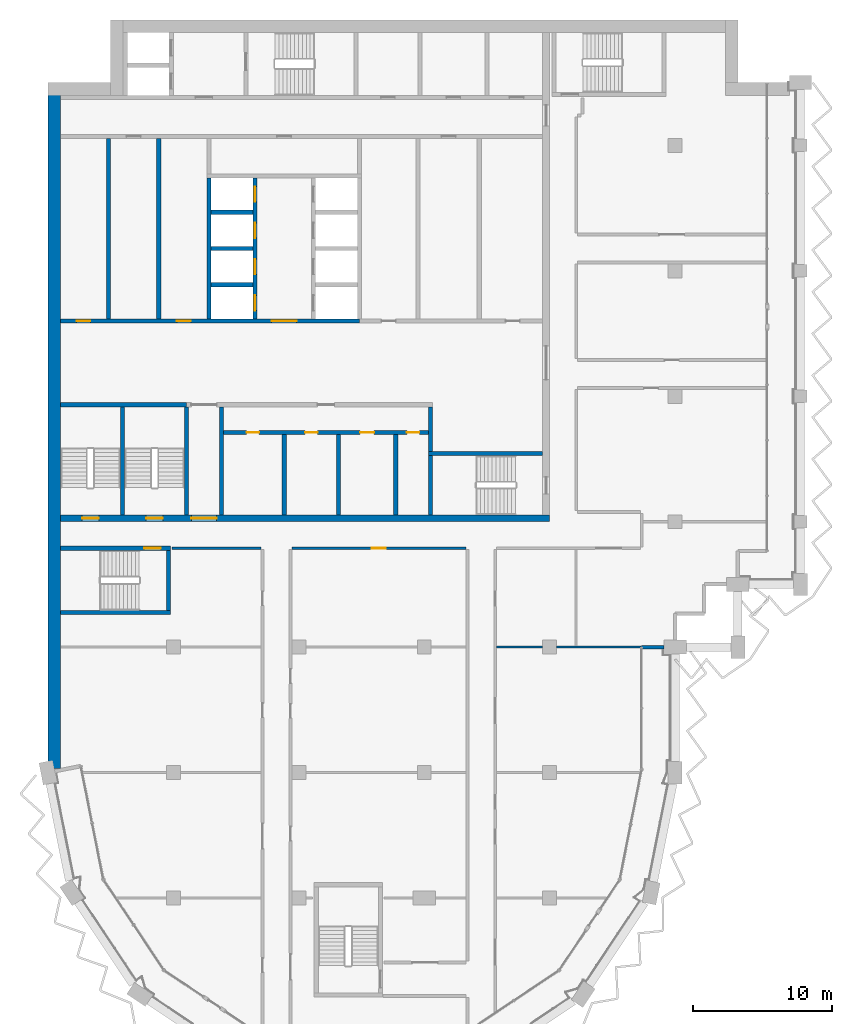
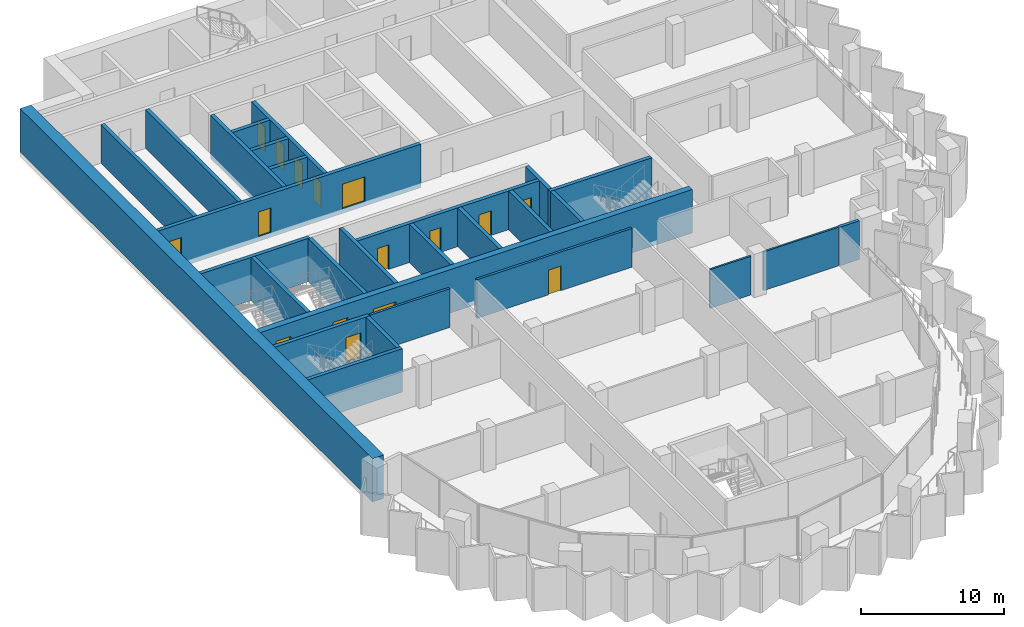
# One storey, part 8 of 16: 29 walls, 16 doors, 16 openings.
"""IFC4 building model written with IfcOpenShell, lengths in metres."""

from ifc_helpers import new_model, si_unit, direction, frame, frame_2d, origin, place, context, subcontext, project, spatial, rectangle, extrude, material, layer, layer_set, type_object, element, fill, save


model = new_model("IFC4")

# Units and contexts
model_context = context("Model", 3, precision=1e-05, world=origin(), true_north=direction((0.0, 1.0)))
body_context = subcontext(model_context, "Body", "Model", "MODEL_VIEW")
ifc_project = project(units=[si_unit("LENGTHUNIT", "METRE"), si_unit("AREAUNIT", "SQUARE_METRE"), si_unit("VOLUMEUNIT", "CUBIC_METRE"), si_unit("PLANEANGLEUNIT", "RADIAN"), si_unit("MASSUNIT", "GRAM", prefix="KILO")], contexts=[model_context])

# Site, building, storey
site_placement = place(None, origin())
site = spatial("IfcSite", under=ifc_project, at=site_placement, CompositionType="ELEMENT")
building_placement = place(site_placement, origin())
building = spatial("IfcBuilding", under=site, at=building_placement, Name="Hunhe Ridgeline Campus", CompositionType="ELEMENT")
storey_placement = place(building_placement, frame((0.0, 0.0, 250.300048828125)))
storey = spatial("IfcBuildingStorey", under=building, at=storey_placement, Name="L64", CompositionType="ELEMENT", Elevation=250.300048828125)

# Wall, openings, doors
ifc_material_1 = material(Name="Masonry concrete blockwork", Category="masonry")
ifc_layer_1 = layer(ifc_material_1, 0.300048828125)
ifc_layer_set_1 = layer_set([ifc_layer_1], Name="Core room partition 300 concrete block")
wall_type_1 = type_object("IfcWallType", Name="Core room partition 300 concrete block", PredefinedType="PARTITIONING", material=ifc_layer_set_1)
wall_1_placement = place(storey_placement, frame((12.60009765625, 69.39990234375, 0.0), z_axis=(0.0, 0.0, 1.0), x_axis=(1.0, 0.0, 0.0)))
wall_1 = element("IfcWall", 1, at=wall_1_placement, inside=storey, type_object=wall_type_1, Name="L64 core partition 7", PredefinedType="PARTITIONING", context=body_context, shape_type="SweptSolid", body=[
    extrude(rectangle(XDim=14.699951171875, YDim=0.300048828125, at=frame_2d((7.35009765625, 0.0))), origin(), (0.0, 0.0, 1.0), 3.300048828125),
])
opening_1_placement = place(wall_1_placement, frame((1.64990234375, 0.0, 0.0)))
opening_1 = element("IfcOpeningElement", 2, at=opening_1_placement, cuts=wall_1, Name="Opening CD8", PredefinedType="OPENING", context=body_context, shape_type="SweptSolid", body=[
    extrude(rectangle(XDim=0.89990234375, YDim=2.10009765625, at=frame_2d((0.449951171875, 1.050048828125))), frame((0.0, 0.14990234375, 0.0), z_axis=(0.0, -1.0, 0.0), x_axis=(1.0, 0.0, 0.0)), (0.0, 0.0, 1.0), 0.300048828125),
])
opening_2_placement = place(wall_1_placement, frame((5.85009765625, 0.0, 0.0)))
opening_2 = element("IfcOpeningElement", 3, at=opening_2_placement, cuts=wall_1, Name="Opening CD9", PredefinedType="OPENING", context=body_context, shape_type="SweptSolid", body=[
    extrude(rectangle(XDim=0.89990234375, YDim=2.10009765625, at=frame_2d((0.449951171875, 1.050048828125))), frame((0.0, 0.14990234375, 0.0), z_axis=(0.0, -1.0, 0.0), x_axis=(1.0, 0.0, 0.0)), (0.0, 0.0, 1.0), 0.300048828125),
])
opening_3_placement = place(wall_1_placement, frame((9.800048828125, 0.0, 0.0)))
opening_3 = element("IfcOpeningElement", 4, at=opening_3_placement, cuts=wall_1, Name="Opening CD10", PredefinedType="OPENING", context=body_context, shape_type="SweptSolid", body=[
    extrude(rectangle(XDim=1.0, YDim=2.10009765625, at=frame_2d((0.5, 1.050048828125))), frame((0.0, 0.14990234375, 0.0), z_axis=(0.0, -1.0, 0.0), x_axis=(1.0, 0.0, 0.0)), (0.0, 0.0, 1.0), 0.300048828125),
])
opening_4_placement = place(wall_1_placement, frame((13.14990234375, 0.0, 0.0)))
opening_4 = element("IfcOpeningElement", 5, at=opening_4_placement, cuts=wall_1, Name="Opening CD11", PredefinedType="OPENING", context=body_context, shape_type="SweptSolid", body=[
    extrude(rectangle(XDim=0.89990234375, YDim=2.10009765625, at=frame_2d((0.449951171875, 1.050048828125))), frame((0.0, 0.14990234375, 0.0), z_axis=(0.0, -1.0, 0.0), x_axis=(1.0, 0.0, 0.0)), (0.0, 0.0, 1.0), 0.300048828125),
])
ifc_material_2 = material(Name="Solid core timber door leaf", Category="wood")
door_type_1 = type_object("IfcDoorType", Name="Timber door 1000x2100", OperationType="SINGLE_SWING_LEFT", PredefinedType="DOOR", material=ifc_material_2)
door_1_placement = place(opening_3_placement, frame((1.0, 0.0, 0.0), z_axis=(0.0, 0.0, 1.0), x_axis=(-1.0, 0.0, 0.0)))
door_1 = element("IfcDoor", 6, at=door_1_placement, inside=storey, type_object=door_type_1, Name="L64 door WC3", OperationType="SINGLE_SWING_LEFT", OverallHeight=2.10009765625, OverallWidth=1.0, PredefinedType="DOOR", context=body_context, shape_type="SweptSolid", body=[
    extrude(rectangle(XDim=1.0, YDim=2.10009765625, at=frame_2d((0.5, 1.050048828125))), frame((0.0, 0.02490234375, 0.0), z_axis=(0.0, -1.0, 0.0), x_axis=(1.0, 0.0, 0.0)), (0.0, 0.0, 1.0), 0.050048828125),
])
fill(opening_3, door_1)
door_type_2 = type_object("IfcDoorType", Name="Timber door 900x2100", OperationType="SINGLE_SWING_LEFT", PredefinedType="DOOR", material=ifc_material_2)
door_2_placement = place(opening_1_placement, frame((0.89990234375, 0.0, 0.0), z_axis=(0.0, 0.0, 1.0), x_axis=(-1.0, 0.0, 0.0)))
door_2 = element("IfcDoor", 7, at=door_2_placement, inside=storey, type_object=door_type_2, Name="L64 door WC1", OperationType="SINGLE_SWING_LEFT", OverallHeight=2.10009765625, OverallWidth=0.89990234375, PredefinedType="DOOR", context=body_context, shape_type="SweptSolid", body=[
    extrude(rectangle(XDim=0.89990234375, YDim=2.10009765625, at=frame_2d((0.449951171875, 1.050048828125))), frame((0.0, 0.02490234375, 0.0), z_axis=(0.0, -1.0, 0.0), x_axis=(1.0, 0.0, 0.0)), (0.0, 0.0, 1.0), 0.050048828125),
])
fill(opening_1, door_2)
door_3_placement = place(opening_2_placement, frame((0.89990234375, 0.0, 0.0), z_axis=(0.0, 0.0, 1.0), x_axis=(-1.0, 0.0, 0.0)))
door_3 = element("IfcDoor", 8, at=door_3_placement, inside=storey, type_object=door_type_2, Name="L64 door WC2", OperationType="SINGLE_SWING_RIGHT", OverallHeight=2.10009765625, OverallWidth=0.89990234375, PredefinedType="DOOR", context=body_context, shape_type="SweptSolid", body=[
    extrude(rectangle(XDim=0.89990234375, YDim=2.10009765625, at=frame_2d((0.449951171875, 1.050048828125))), frame((0.0, 0.02490234375, 0.0), z_axis=(0.0, -1.0, 0.0), x_axis=(1.0, 0.0, 0.0)), (0.0, 0.0, 1.0), 0.050048828125),
])
fill(opening_2, door_3)
door_4_placement = place(opening_4_placement, frame((0.89990234375, 0.0, 0.0), z_axis=(0.0, 0.0, 1.0), x_axis=(-1.0, 0.0, 0.0)))
door_4 = element("IfcDoor", 9, at=door_4_placement, inside=storey, type_object=door_type_2, Name="L64 door WC4", OperationType="SINGLE_SWING_RIGHT", OverallHeight=2.10009765625, OverallWidth=0.89990234375, PredefinedType="DOOR", context=body_context, shape_type="SweptSolid", body=[
    extrude(rectangle(XDim=0.89990234375, YDim=2.10009765625, at=frame_2d((0.449951171875, 1.050048828125))), frame((0.0, 0.02490234375, 0.0), z_axis=(0.0, -1.0, 0.0), x_axis=(1.0, 0.0, 0.0)), (0.0, 0.0, 1.0), 0.050048828125),
])
fill(opening_4, door_4)

# Walls
for number, where, z_axis, x_axis, name in (
    (10, (4.35009765625, 77.550048828125, 0.0), (0.0, 0.0, 1.0), (0.0, 1.0, 0.0), "L64 core partition 23"),
    (11, (7.949951171875, 77.550048828125, 0.0), (0.0, 0.0, 1.0), (0.0, 1.0, 0.0), "L64 core partition 26"),
):
    element("IfcWall", number, at=place(storey_placement, frame(where, z_axis=z_axis, x_axis=x_axis)), inside=storey, type_object=wall_type_1, Name=name, PredefinedType="PARTITIONING", context=body_context, shape_type="SweptSolid", body=[
        extrude(rectangle(XDim=12.949951171875, YDim=0.300048828125, at=frame_2d((6.47509765625, 0.0))), origin(), (0.0, 0.0, 1.0), 3.300048828125),
    ])
wall_2_placement = place(storey_placement, frame((12.449951171875, 63.5, 0.0), z_axis=(0.0, 0.0, 1.0), x_axis=(0.0, 1.0, 0.0)))
element("IfcWall", 12, at=wall_2_placement, inside=storey, type_object=wall_type_1, Name="L64 core partition 32", PredefinedType="PARTITIONING", context=body_context, shape_type="SweptSolid", body=[
    extrude(rectangle(XDim=7.75, YDim=0.300048828125, at=frame_2d((3.875, 0.0))), origin(), (0.0, 0.0, 1.0), 3.300048828125),
])
for number, where, z_axis, x_axis, name in (
    (13, (16.949951171875, 63.5, 0.0), (0.0, 0.0, 1.0), (0.0, 1.0, 0.0), "L64 core partition 35"),
    (14, (20.85009765625, 63.5, 0.0), (0.0, 0.0, 1.0), (0.0, 1.0, 0.0), "L64 core partition 38"),
    (15, (24.949951171875, 63.5, 0.0), (0.0, 0.0, 1.0), (0.0, 1.0, 0.0), "L64 core partition 43"),
):
    element("IfcWall", number, at=place(storey_placement, frame(where, z_axis=z_axis, x_axis=x_axis)), inside=storey, type_object=wall_type_1, Name=name, PredefinedType="PARTITIONING", context=body_context, shape_type="SweptSolid", body=[
        extrude(rectangle(XDim=5.75, YDim=0.300048828125, at=frame_2d((2.875, 0.0))), origin(), (0.0, 0.0, 1.0), 3.300048828125),
    ])
wall_3_placement = place(storey_placement, frame((27.449951171875, 68.050048828125, 0.0), z_axis=(0.0, 0.0, 1.0), x_axis=(0.0, 1.0, 0.0)))
element("IfcWall", 16, at=wall_3_placement, inside=storey, type_object=wall_type_1, Name="L64 core partition 47", PredefinedType="PARTITIONING", context=body_context, shape_type="SweptSolid", body=[
    extrude(rectangle(XDim=3.199951171875, YDim=0.300048828125, at=frame_2d((1.60009765625, 0.0))), origin(), (0.0, 0.0, 1.0), 3.300048828125),
])

# Wall, openings, doors
ifc_material_3 = material(Name="Concrete C50", Category="concrete")
ifc_layer_2 = layer(ifc_material_3, 0.5)
ifc_layer_set_2 = layer_set([ifc_layer_2], Name="Core wall 500 reinforced concrete C50")
wall_type_2 = type_object("IfcWallType", Name="Core wall 500 reinforced concrete C50", PredefinedType="SOLIDWALL", material=ifc_layer_set_2)
wall_4_placement = place(storey_placement, frame((0.89990234375, 63.25, -0.400146484375), z_axis=(0.0, 0.0, 1.0), x_axis=(1.0, 0.0, 0.0)))
wall_4 = element("IfcWall", 17, at=wall_4_placement, inside=storey, type_object=wall_type_2, Name="L64 core wall 5", PredefinedType="SOLIDWALL", context=body_context, shape_type="SweptSolid", body=[
    extrude(rectangle(XDim=35.10009765625, YDim=0.5, at=frame_2d((17.550048828125, 0.0))), origin(), (0.0, 0.0, 1.0), 3.7001953125),
])
opening_5_placement = place(wall_4_placement, frame((9.39990234375, 0.0, 0.39990234375)))
opening_5 = element("IfcOpeningElement", 18, at=opening_5_placement, cuts=wall_4, Name="Opening CD6", PredefinedType="OPENING", context=body_context, shape_type="SweptSolid", body=[
    extrude(rectangle(XDim=1.800048828125, YDim=2.10009765625, at=frame_2d((0.89990234375, 1.050048828125))), frame((0.0, 0.25, 0.0), z_axis=(0.0, -1.0, 0.0), x_axis=(1.0, 0.0, 0.0)), (0.0, 0.0, 1.0), 0.5),
])
opening_6_placement = place(wall_4_placement, frame((1.550048828125, 0.0, 0.39990234375)))
opening_6 = element("IfcOpeningElement", 19, at=opening_6_placement, cuts=wall_4, Name="Opening CD13", PredefinedType="OPENING", context=body_context, shape_type="SweptSolid", body=[
    extrude(rectangle(XDim=1.199951171875, YDim=2.10009765625, at=frame_2d((0.60009765625, 1.050048828125))), frame((0.0, 0.25, 0.0), z_axis=(0.0, -1.0, 0.0), x_axis=(1.0, 0.0, 0.0)), (0.0, 0.0, 1.0), 0.5),
])
opening_7_placement = place(wall_4_placement, frame((6.14990234375, 0.0, 0.39990234375)))
opening_7 = element("IfcOpeningElement", 20, at=opening_7_placement, cuts=wall_4, Name="Opening CD14", PredefinedType="OPENING", context=body_context, shape_type="SweptSolid", body=[
    extrude(rectangle(XDim=1.199951171875, YDim=2.10009765625, at=frame_2d((0.60009765625, 1.050048828125))), frame((0.0, 0.25, 0.0), z_axis=(0.0, -1.0, 0.0), x_axis=(1.0, 0.0, 0.0)), (0.0, 0.0, 1.0), 0.5),
])
ifc_material_4 = material(Name="Anodised aluminium and glass", Category="aluminium")
door_type_3 = type_object("IfcDoorType", Name="Glazed double door 1800x2100", OperationType="DOUBLE_DOOR_SINGLE_SWING", PredefinedType="DOOR", material=ifc_material_4)
door_5_placement = place(opening_5_placement, frame((1.800048828125, 0.0, 0.0), z_axis=(0.0, 0.0, 1.0), x_axis=(-1.0, 0.0, 0.0)))
door_5 = element("IfcDoor", 21, at=door_5_placement, inside=storey, type_object=door_type_3, Name="L64 door VEST-FLOOR", OperationType="DOUBLE_DOOR_SINGLE_SWING", OverallHeight=2.10009765625, OverallWidth=1.800048828125, PredefinedType="DOOR", context=body_context, shape_type="SweptSolid", body=[
    extrude(rectangle(XDim=1.800048828125, YDim=2.10009765625, at=frame_2d((0.89990234375, 1.050048828125))), frame((0.0, 0.02490234375, 0.0), z_axis=(0.0, -1.0, 0.0), x_axis=(1.0, 0.0, 0.0)), (0.0, 0.0, 1.0), 0.050048828125),
])
fill(opening_5, door_5)
ifc_material_5 = material(Name="Hollow metal fire door leaf")
door_type_4 = type_object("IfcDoorType", Name="Stair door 1200x2100 FD60", OperationType="SINGLE_SWING_LEFT", PredefinedType="DOOR", material=ifc_material_5)
door_6_placement = place(opening_6_placement, frame((1.199951171875, 0.0, 0.0), z_axis=(0.0, 0.0, 1.0), x_axis=(-1.0, 0.0, 0.0)))
door_6 = element("IfcDoor", 22, at=door_6_placement, inside=storey, type_object=door_type_4, Name="L64 door S3", OperationType="SINGLE_SWING_LEFT", OverallHeight=2.10009765625, OverallWidth=1.199951171875, PredefinedType="DOOR", context=body_context, shape_type="SweptSolid", body=[
    extrude(rectangle(XDim=1.199951171875, YDim=2.10009765625, at=frame_2d((0.60009765625, 1.050048828125))), frame((0.0, 0.02490234375, 0.0), z_axis=(0.0, -1.0, 0.0), x_axis=(1.0, 0.0, 0.0)), (0.0, 0.0, 1.0), 0.050048828125),
])
fill(opening_6, door_6)
door_7_placement = place(opening_7_placement, frame((1.199951171875, 0.0, 0.0), z_axis=(0.0, 0.0, 1.0), x_axis=(-1.0, 0.0, 0.0)))
door_7 = element("IfcDoor", 23, at=door_7_placement, inside=storey, type_object=door_type_4, Name="L64 door S4", OperationType="SINGLE_SWING_RIGHT", OverallHeight=2.10009765625, OverallWidth=1.199951171875, PredefinedType="DOOR", context=body_context, shape_type="SweptSolid", body=[
    extrude(rectangle(XDim=1.199951171875, YDim=2.10009765625, at=frame_2d((0.60009765625, 1.050048828125))), frame((0.0, 0.02490234375, 0.0), z_axis=(0.0, -1.0, 0.0), x_axis=(1.0, 0.0, 0.0)), (0.0, 0.0, 1.0), 0.050048828125),
])
fill(opening_7, door_7)

# Walls
ifc_material_6 = material(Name="Concrete C30", Category="concrete")
ifc_layer_3 = layer(ifc_material_6, 0.25)
ifc_layer_set_3 = layer_set([ifc_layer_3], Name="Corner return wall 250 Concrete C30")
wall_type_3 = type_object("IfcWallType", Name="Corner return wall 250 Concrete C30", PredefinedType="SOLIDWALL", material=ifc_layer_set_3)
wall_5_placement = place(storey_placement, frame((42.59912109375, 54.00048828125, 0.0), z_axis=(0.0, 0.0, 1.0), x_axis=(0.999999988371, 0.000152508767, 0.0)))
element("IfcWall", 24, at=wall_5_placement, inside=storey, type_object=wall_type_3, Name="Corner return wall 2", PredefinedType="SOLIDWALL", context=body_context, shape_type="SweptSolid", body=[
    extrude(rectangle(XDim=1.600830078125, YDim=0.25, at=frame_2d((0.80029296875, 0.0))), origin(), (0.0, 0.0, 1.0), 3.300048828125),
])
ifc_material_7 = material(Name="Gypsum board partition")
ifc_layer_4 = layer(ifc_material_7, 0.199951171875)
ifc_layer_set_4 = layer_set([ifc_layer_4], Name="Corridor partition 200 gypsum board on steel studs")
wall_type_4 = type_object("IfcWallType", Name="Corridor partition 200 gypsum board on steel studs", PredefinedType="PARTITIONING", material=ifc_layer_set_4)
wall_6_placement = place(storey_placement, frame((15.300048828125, 61.10009765625, 0.0), z_axis=(0.0, 0.0, 1.0), x_axis=(-1.0, 0.0, 0.0)))
element("IfcWall", 25, at=wall_6_placement, inside=storey, type_object=wall_type_4, Name="F-L64-wall-022", PredefinedType="PARTITIONING", context=body_context, shape_type="SweptSolid", body=[
    extrude(rectangle(XDim=6.39599609375, YDim=0.199951171875, at=frame_2d((3.197998046875, 0.0))), origin(), (0.0, 0.0, 1.0), 3.300048828125),
])

# Wall, opening, door
wall_7_placement = place(storey_placement, frame((30.0, 61.10009765625, 0.0), z_axis=(0.0, 0.0, 1.0), x_axis=(-1.0, 0.0, 0.0)))
wall_7 = element("IfcWall", 26, at=wall_7_placement, inside=storey, type_object=wall_type_4, Name="F-L64-wall-023", PredefinedType="PARTITIONING", context=body_context, shape_type="SweptSolid", body=[
    extrude(rectangle(XDim=12.5, YDim=0.199951171875, at=frame_2d((6.25, 0.0))), origin(), (0.0, 0.0, 1.0), 3.300048828125),
])
opening_8_placement = place(wall_7_placement, frame((5.75, 0.0, 0.0)))
opening_8 = element("IfcOpeningElement", 27, at=opening_8_placement, cuts=wall_7, Name="Opening RD1-015", PredefinedType="OPENING", context=body_context, shape_type="SweptSolid", body=[
    extrude(rectangle(XDim=1.0, YDim=2.10009765625, at=frame_2d((0.5, 1.050048828125))), frame((0.0, 0.10009765625, 0.0), z_axis=(0.0, -1.0, 0.0), x_axis=(1.0, 0.0, 0.0)), (0.0, 0.0, 1.0), 0.199951171875),
])
ifc_material_8 = material(Name="Timber door leaf", Category="wood")
door_type_5 = type_object("IfcDoorType", Name="Single fire door 1000x2100 timber FD60", OperationType="NOTDEFINED", PredefinedType="DOOR", material=ifc_material_8)
door_8_placement = place(opening_8_placement, origin())
door_8 = element("IfcDoor", 28, at=door_8_placement, inside=storey, type_object=door_type_5, Name="F-L64-door-015", OperationType="SINGLE_SWING_LEFT", OverallHeight=2.10009765625, OverallWidth=1.0, PredefinedType="DOOR", context=body_context, shape_type="SweptSolid", body=[
    extrude(rectangle(XDim=1.0, YDim=2.10009765625, at=frame_2d((0.5, 1.050048828125))), frame((0.0, 0.02490234375, 0.0), z_axis=(0.0, -1.0, 0.0), x_axis=(1.0, 0.0, 0.0)), (0.0, 0.0, 1.0), 0.050048828125),
])
fill(opening_8, door_8)

# Walls
ifc_layer_5 = layer(ifc_material_7, 0.14990234375)
ifc_layer_set_5 = layer_set([ifc_layer_5], Name="Room partition 150 gypsum board on steel studs")
wall_type_5 = type_object("IfcWallType", Name="Room partition 150 gypsum board on steel studs", PredefinedType="PARTITIONING", material=ifc_layer_set_5)
wall_8_placement = place(storey_placement, frame((32.199951171875, 54.0, 0.0), z_axis=(0.0, 0.0, 1.0), x_axis=(1.0, 0.0, 0.0)))
element("IfcWall", 29, at=wall_8_placement, inside=storey, type_object=wall_type_5, Name="F-L64-wall-020", PredefinedType="PARTITIONING", context=body_context, shape_type="SweptSolid", body=[
    extrude(rectangle(XDim=3.300048828125, YDim=0.14990234375, at=frame_2d((1.64990234375, 0.0))), origin(), (0.0, 0.0, 1.0), 3.300048828125),
])
wall_9_placement = place(storey_placement, frame((36.5, 54.0, 0.0), z_axis=(0.0, 0.0, 1.0), x_axis=(1.0, 0.0, 0.0)))
element("IfcWall", 30, at=wall_9_placement, inside=storey, type_object=wall_type_5, Name="F-L64-wall-021", PredefinedType="PARTITIONING", context=body_context, shape_type="SweptSolid", body=[
    extrude(rectangle(XDim=6.045166015625, YDim=0.14990234375, at=frame_2d((3.0224609375, 0.0))), origin(), (0.0, 0.0, 1.0), 3.300048828125),
])

# Wall, openings, doors
ifc_layer_6 = layer(ifc_material_3, 0.300048828125)
ifc_layer_set_6 = layer_set([ifc_layer_6], Name="Shaft wall 300 reinforced concrete C50")
wall_type_6 = type_object("IfcWallType", Name="Shaft wall 300 reinforced concrete C50", PredefinedType="SOLIDWALL", material=ifc_layer_set_6)
wall_10_placement = place(storey_placement, frame((0.89990234375, 77.39990234375, -0.400146484375), z_axis=(0.0, 0.0, 1.0), x_axis=(1.0, 0.0, 0.0)))
wall_10 = element("IfcWall", 31, at=wall_10_placement, inside=storey, type_object=wall_type_6, Name="L64 core wall 10", PredefinedType="SOLIDWALL", context=body_context, shape_type="SweptSolid", body=[
    extrude(rectangle(XDim=21.4501953125, YDim=0.300048828125, at=frame_2d((10.72509765625, 0.0))), origin(), (0.0, 0.0, 1.0), 3.7001953125),
])
opening_9_placement = place(wall_10_placement, frame((15.14990234375, 0.0, 0.39990234375)))
opening_9 = element("IfcOpeningElement", 32, at=opening_9_placement, cuts=wall_10, Name="Opening CD38", PredefinedType="OPENING", context=body_context, shape_type="SweptSolid", body=[
    extrude(rectangle(XDim=1.800048828125, YDim=2.10009765625, at=frame_2d((0.89990234375, 1.050048828125))), frame((0.0, 0.14990234375, 0.0), z_axis=(0.0, -1.0, 0.0), x_axis=(1.0, 0.0, 0.0)), (0.0, 0.0, 1.0), 0.300048828125),
])
opening_10_placement = place(wall_10_placement, frame((1.14990234375, 0.0, 0.39990234375)))
opening_10 = element("IfcOpeningElement", 33, at=opening_10_placement, cuts=wall_10, Name="Opening CD39", PredefinedType="OPENING", context=body_context, shape_type="SweptSolid", body=[
    extrude(rectangle(XDim=1.0, YDim=2.10009765625, at=frame_2d((0.5, 1.050048828125))), frame((0.0, 0.14990234375, 0.0), z_axis=(0.0, -1.0, 0.0), x_axis=(1.0, 0.0, 0.0)), (0.0, 0.0, 1.0), 0.300048828125),
])
opening_11_placement = place(wall_10_placement, frame((8.35009765625, 0.0, 0.39990234375)))
opening_11 = element("IfcOpeningElement", 34, at=opening_11_placement, cuts=wall_10, Name="Opening CD41", PredefinedType="OPENING", context=body_context, shape_type="SweptSolid", body=[
    extrude(rectangle(XDim=1.0, YDim=2.10009765625, at=frame_2d((0.5, 1.050048828125))), frame((0.0, 0.14990234375, 0.0), z_axis=(0.0, -1.0, 0.0), x_axis=(1.0, 0.0, 0.0)), (0.0, 0.0, 1.0), 0.300048828125),
])
door_type_6 = type_object("IfcDoorType", Name="Lobby door 1800x2100 FD60", OperationType="SINGLE_SWING_LEFT", PredefinedType="DOOR", material=ifc_material_5)
door_9_placement = place(opening_9_placement, frame((1.800048828125, 0.0, 0.0), z_axis=(0.0, 0.0, 1.0), x_axis=(-1.0, 0.0, 0.0)))
door_9 = element("IfcDoor", 35, at=door_9_placement, inside=storey, type_object=door_type_6, Name="L64 door LOB-HR", OperationType="SINGLE_SWING_RIGHT", OverallHeight=2.10009765625, OverallWidth=1.800048828125, PredefinedType="DOOR", context=body_context, shape_type="SweptSolid", body=[
    extrude(rectangle(XDim=1.800048828125, YDim=2.10009765625, at=frame_2d((0.89990234375, 1.050048828125))), frame((0.0, 0.02490234375, 0.0), z_axis=(0.0, -1.0, 0.0), x_axis=(1.0, 0.0, 0.0)), (0.0, 0.0, 1.0), 0.050048828125),
])
fill(opening_9, door_9)
door_10_placement = place(opening_10_placement, origin())
door_10 = element("IfcDoor", 36, at=door_10_placement, inside=storey, type_object=door_type_1, Name="L64 door VD-LR0", OperationType="SINGLE_SWING_RIGHT", OverallHeight=2.10009765625, OverallWidth=1.0, PredefinedType="DOOR", context=body_context, shape_type="SweptSolid", body=[
    extrude(rectangle(XDim=1.0, YDim=2.10009765625, at=frame_2d((0.5, 1.050048828125))), frame((0.0, 0.02490234375, 0.0), z_axis=(0.0, -1.0, 0.0), x_axis=(1.0, 0.0, 0.0)), (0.0, 0.0, 1.0), 0.050048828125),
])
fill(opening_10, door_10)
door_11_placement = place(opening_11_placement, origin())
door_11 = element("IfcDoor", 37, at=door_11_placement, inside=storey, type_object=door_type_1, Name="L64 door VD-LR2", OperationType="SINGLE_SWING_RIGHT", OverallHeight=2.10009765625, OverallWidth=1.0, PredefinedType="DOOR", context=body_context, shape_type="SweptSolid", body=[
    extrude(rectangle(XDim=1.0, YDim=2.10009765625, at=frame_2d((0.5, 1.050048828125))), frame((0.0, 0.02490234375, 0.0), z_axis=(0.0, -1.0, 0.0), x_axis=(1.0, 0.0, 0.0)), (0.0, 0.0, 1.0), 0.050048828125),
])
fill(opening_11, door_11)

# Walls
for number, where, z_axis, x_axis, name in (
    (38, (11.699951171875, 80.0, -0.400146484375), (0.0, 0.0, 1.0), (1.0, 0.0, 0.0), "L64 core wall 12"),
    (39, (11.699951171875, 82.60009765625, -0.400146484375), (0.0, 0.0, 1.0), (1.0, 0.0, 0.0), "L64 core wall 14"),
    (40, (11.699951171875, 85.199951171875, -0.400146484375), (0.0, 0.0, 1.0), (1.0, 0.0, 0.0), "L64 core wall 16"),
):
    element("IfcWall", number, at=place(storey_placement, frame(where, z_axis=z_axis, x_axis=x_axis)), inside=storey, type_object=wall_type_6, Name=name, PredefinedType="SOLIDWALL", context=body_context, shape_type="SweptSolid", body=[
        extrude(rectangle(XDim=3.0, YDim=0.300048828125, at=frame_2d((1.5, 0.0))), origin(), (0.0, 0.0, 1.0), 3.7001953125),
    ])
wall_11_placement = place(storey_placement, frame((11.550048828125, 77.550048828125, -0.400146484375), z_axis=(0.0, 0.0, 1.0), x_axis=(0.0, 1.0, 0.0)))
element("IfcWall", 41, at=wall_11_placement, inside=storey, type_object=wall_type_6, Name="L64 core wall 30", PredefinedType="SOLIDWALL", context=body_context, shape_type="SweptSolid", body=[
    extrude(rectangle(XDim=10.099853515625, YDim=0.300048828125, at=frame_2d((5.0498046875, 0.0))), origin(), (0.0, 0.0, 1.0), 3.7001953125),
])

# Wall, openings, doors
wall_12_placement = place(storey_placement, frame((14.85009765625, 77.550048828125, -0.400146484375), z_axis=(0.0, 0.0, 1.0), x_axis=(0.0, 1.0, 0.0)))
wall_12 = element("IfcWall", 42, at=wall_12_placement, inside=storey, type_object=wall_type_6, Name="L64 core wall 34", PredefinedType="SOLIDWALL", context=body_context, shape_type="SweptSolid", body=[
    extrude(rectangle(XDim=10.099853515625, YDim=0.300048828125, at=frame_2d((5.0498046875, 0.0))), origin(), (0.0, 0.0, 1.0), 3.7001953125),
])
opening_12_placement = place(wall_12_placement, frame((0.60009765625, 0.0, 0.39990234375)))
opening_12 = element("IfcOpeningElement", 43, at=opening_12_placement, cuts=wall_12, Name="Opening LD-HR1", PredefinedType="OPENING", context=body_context, shape_type="SweptSolid", body=[
    extrude(rectangle(XDim=1.10009765625, YDim=2.10009765625, at=frame_2d((0.550048828125, 1.050048828125))), frame((0.0, 0.14990234375, 0.0), z_axis=(0.0, -1.0, 0.0), x_axis=(1.0, 0.0, 0.0)), (0.0, 0.0, 1.0), 0.300048828125),
])
opening_13_placement = place(wall_12_placement, frame((3.199951171875, 0.0, 0.39990234375)))
opening_13 = element("IfcOpeningElement", 44, at=opening_13_placement, cuts=wall_12, Name="Opening LD-HR2", PredefinedType="OPENING", context=body_context, shape_type="SweptSolid", body=[
    extrude(rectangle(XDim=1.10009765625, YDim=2.10009765625, at=frame_2d((0.550048828125, 1.050048828125))), frame((0.0, 0.14990234375, 0.0), z_axis=(0.0, -1.0, 0.0), x_axis=(1.0, 0.0, 0.0)), (0.0, 0.0, 1.0), 0.300048828125),
])
opening_14_placement = place(wall_12_placement, frame((5.800048828125, 0.0, 0.39990234375)))
opening_14 = element("IfcOpeningElement", 45, at=opening_14_placement, cuts=wall_12, Name="Opening LD-HR3", PredefinedType="OPENING", context=body_context, shape_type="SweptSolid", body=[
    extrude(rectangle(XDim=1.10009765625, YDim=2.10009765625, at=frame_2d((0.550048828125, 1.050048828125))), frame((0.0, 0.14990234375, 0.0), z_axis=(0.0, -1.0, 0.0), x_axis=(1.0, 0.0, 0.0)), (0.0, 0.0, 1.0), 0.300048828125),
])
opening_15_placement = place(wall_12_placement, frame((8.39990234375, 0.0, 0.39990234375)))
opening_15 = element("IfcOpeningElement", 46, at=opening_15_placement, cuts=wall_12, Name="Opening LD-HR4", PredefinedType="OPENING", context=body_context, shape_type="SweptSolid", body=[
    extrude(rectangle(XDim=1.10009765625, YDim=2.10009765625, at=frame_2d((0.550048828125, 1.050048828125))), frame((0.0, 0.14990234375, 0.0), z_axis=(0.0, -1.0, 0.0), x_axis=(1.0, 0.0, 0.0)), (0.0, 0.0, 1.0), 0.300048828125),
])
ifc_material_9 = material(Name="Stainless steel sliding leaves", Category="steel")
door_type_7 = type_object("IfcDoorType", Name="Landing door 1100x2100 FD120", OperationType="SLIDING_TO_LEFT", PredefinedType="DOOR", material=ifc_material_9)
door_12_placement = place(opening_12_placement, origin())
door_12 = element("IfcDoor", 47, at=door_12_placement, inside=storey, type_object=door_type_7, Name="L64 landing door HR1", OperationType="SLIDING_TO_RIGHT", OverallHeight=2.10009765625, OverallWidth=1.10009765625, PredefinedType="DOOR", context=body_context, shape_type="SweptSolid", body=[
    extrude(rectangle(XDim=1.10009765625, YDim=2.10009765625, at=frame_2d((0.550048828125, 1.050048828125))), frame((0.0, 0.02490234375, 0.0), z_axis=(0.0, -1.0, 0.0), x_axis=(1.0, 0.0, 0.0)), (0.0, 0.0, 1.0), 0.050048828125),
])
fill(opening_12, door_12)
door_13_placement = place(opening_13_placement, origin())
door_13 = element("IfcDoor", 48, at=door_13_placement, inside=storey, type_object=door_type_7, Name="L64 landing door HR2", OperationType="SLIDING_TO_LEFT", OverallHeight=2.10009765625, OverallWidth=1.10009765625, PredefinedType="DOOR", context=body_context, shape_type="SweptSolid", body=[
    extrude(rectangle(XDim=1.10009765625, YDim=2.10009765625, at=frame_2d((0.550048828125, 1.050048828125))), frame((0.0, 0.02490234375, 0.0), z_axis=(0.0, -1.0, 0.0), x_axis=(1.0, 0.0, 0.0)), (0.0, 0.0, 1.0), 0.050048828125),
])
fill(opening_13, door_13)
door_14_placement = place(opening_14_placement, origin())
door_14 = element("IfcDoor", 49, at=door_14_placement, inside=storey, type_object=door_type_7, Name="L64 landing door HR3", OperationType="SLIDING_TO_RIGHT", OverallHeight=2.10009765625, OverallWidth=1.10009765625, PredefinedType="DOOR", context=body_context, shape_type="SweptSolid", body=[
    extrude(rectangle(XDim=1.10009765625, YDim=2.10009765625, at=frame_2d((0.550048828125, 1.050048828125))), frame((0.0, 0.02490234375, 0.0), z_axis=(0.0, -1.0, 0.0), x_axis=(1.0, 0.0, 0.0)), (0.0, 0.0, 1.0), 0.050048828125),
])
fill(opening_14, door_14)
door_15_placement = place(opening_15_placement, origin())
door_15 = element("IfcDoor", 50, at=door_15_placement, inside=storey, type_object=door_type_7, Name="L64 landing door HR4", OperationType="SLIDING_TO_LEFT", OverallHeight=2.10009765625, OverallWidth=1.10009765625, PredefinedType="DOOR", context=body_context, shape_type="SweptSolid", body=[
    extrude(rectangle(XDim=1.10009765625, YDim=2.10009765625, at=frame_2d((0.550048828125, 1.050048828125))), frame((0.0, 0.02490234375, 0.0), z_axis=(0.0, -1.0, 0.0), x_axis=(1.0, 0.0, 0.0)), (0.0, 0.0, 1.0), 0.050048828125),
])
fill(opening_15, door_15)

# Walls
ifc_material_10 = material(Name="Concrete C60", Category="concrete")
ifc_layer_7 = layer(ifc_material_10, 0.89990234375)
ifc_layer_set_7 = layer_set([ifc_layer_7], Name="Spine wall 900 Concrete C60")
wall_type_7 = type_object("IfcWallType", Name="Spine wall 900 Concrete C60", PredefinedType="SHEAR", material=ifc_layer_set_7)
wall_13_placement = place(storey_placement, frame((0.449951171875, 94.5, 0.0), z_axis=(0.0, 0.0, 1.0), x_axis=(0.0, -1.0, 0.0)))
element("IfcWall", 51, at=wall_13_placement, inside=storey, type_object=wall_type_7, Name="Spine wall SW3-1 L64", PredefinedType="SHEAR", context=body_context, shape_type="SweptSolid", body=[
    extrude(rectangle(XDim=49.199462890625, YDim=0.89990234375, at=frame_2d((24.599609375, 0.0))), origin(), (0.0, 0.0, 1.0), 3.699951171875),
])
ifc_layer_8 = layer(ifc_material_3, 0.300048828125)
ifc_layer_set_8 = layer_set([ifc_layer_8], Name="Stair wall 300 reinforced concrete C50")
wall_type_8 = type_object("IfcWallType", Name="Stair wall 300 reinforced concrete C50", PredefinedType="SOLIDWALL", material=ifc_layer_set_8)
wall_14_placement = place(storey_placement, frame((0.89990234375, 56.5, -0.400146484375), z_axis=(0.0, 0.0, 1.0), x_axis=(1.0, 0.0, 0.0)))
element("IfcWall", 52, at=wall_14_placement, inside=storey, type_object=wall_type_8, Name="L64 core wall 3", PredefinedType="SOLIDWALL", context=body_context, shape_type="SweptSolid", body=[
    extrude(rectangle(XDim=7.900146484375, YDim=0.300048828125, at=frame_2d((3.9501953125, 0.0))), origin(), (0.0, 0.0, 1.0), 3.7001953125),
])

# Wall, opening, door
wall_15_placement = place(storey_placement, frame((0.89990234375, 61.10009765625, -0.400146484375), z_axis=(0.0, 0.0, 1.0), x_axis=(1.0, 0.0, 0.0)))
wall_15 = element("IfcWall", 53, at=wall_15_placement, inside=storey, type_object=wall_type_8, Name="L64 core wall 4", PredefinedType="SOLIDWALL", context=body_context, shape_type="SweptSolid", body=[
    extrude(rectangle(XDim=7.900146484375, YDim=0.300048828125, at=frame_2d((3.9501953125, 0.0))), origin(), (0.0, 0.0, 1.0), 3.7001953125),
])
opening_16_placement = place(wall_15_placement, frame((6.0, 0.0, 0.39990234375)))
opening_16 = element("IfcOpeningElement", 54, at=opening_16_placement, cuts=wall_15, Name="Opening CD22", PredefinedType="OPENING", context=body_context, shape_type="SweptSolid", body=[
    extrude(rectangle(XDim=1.199951171875, YDim=2.10009765625, at=frame_2d((0.60009765625, 1.050048828125))), frame((0.0, 0.14990234375, 0.0), z_axis=(0.0, -1.0, 0.0), x_axis=(1.0, 0.0, 0.0)), (0.0, 0.0, 1.0), 0.300048828125),
])
door_16_placement = place(opening_16_placement, origin())
door_16 = element("IfcDoor", 55, at=door_16_placement, inside=storey, type_object=door_type_4, Name="L64 door W2", OperationType="SINGLE_SWING_LEFT", OverallHeight=2.10009765625, OverallWidth=1.199951171875, PredefinedType="DOOR", context=body_context, shape_type="SweptSolid", body=[
    extrude(rectangle(XDim=1.199951171875, YDim=2.10009765625, at=frame_2d((0.60009765625, 1.050048828125))), frame((0.0, 0.02490234375, 0.0), z_axis=(0.0, -1.0, 0.0), x_axis=(1.0, 0.0, 0.0)), (0.0, 0.0, 1.0), 0.050048828125),
])
fill(opening_16, door_16)

# Walls
wall_16_placement = place(storey_placement, frame((27.300048828125, 67.89990234375, -0.400146484375), z_axis=(0.0, 0.0, 1.0), x_axis=(1.0, 0.0, 0.0)))
element("IfcWall", 56, at=wall_16_placement, inside=storey, type_object=wall_type_8, Name="L64 core wall 6", PredefinedType="SOLIDWALL", context=body_context, shape_type="SweptSolid", body=[
    extrude(rectangle(XDim=8.199951171875, YDim=0.300048828125, at=frame_2d((4.10009765625, 0.0))), origin(), (0.0, 0.0, 1.0), 3.7001953125),
])
wall_17_placement = place(storey_placement, frame((0.89990234375, 71.39990234375, -0.400146484375), z_axis=(0.0, 0.0, 1.0), x_axis=(1.0, 0.0, 0.0)))
element("IfcWall", 57, at=wall_17_placement, inside=storey, type_object=wall_type_8, Name="L64 core wall 8", PredefinedType="SOLIDWALL", context=body_context, shape_type="SweptSolid", body=[
    extrude(rectangle(XDim=9.050048828125, YDim=0.300048828125, at=frame_2d((4.52490234375, 0.0))), origin(), (0.0, 0.0, 1.0), 3.7001953125),
])
wall_18_placement = place(storey_placement, frame((5.35009765625, 63.5, -0.400146484375), z_axis=(0.0, 0.0, 1.0), x_axis=(0.0, 1.0, 0.0)))
element("IfcWall", 58, at=wall_18_placement, inside=storey, type_object=wall_type_8, Name="L64 core wall 24", PredefinedType="SOLIDWALL", context=body_context, shape_type="SweptSolid", body=[
    extrude(rectangle(XDim=7.75, YDim=0.300048828125, at=frame_2d((3.875, 0.0))), origin(), (0.0, 0.0, 1.0), 3.7001953125),
])
wall_19_placement = place(storey_placement, frame((8.64990234375, 56.64990234375, -0.400146484375), z_axis=(0.0, 0.0, 1.0), x_axis=(0.0, 1.0, 0.0)))
element("IfcWall", 59, at=wall_19_placement, inside=storey, type_object=wall_type_8, Name="L64 core wall 27", PredefinedType="SOLIDWALL", context=body_context, shape_type="SweptSolid", body=[
    extrude(rectangle(XDim=4.300048828125, YDim=0.300048828125, at=frame_2d((2.14990234375, 0.0))), origin(), (0.0, 0.0, 1.0), 3.7001953125),
])
wall_20_placement = place(storey_placement, frame((9.949951171875, 63.5, -0.400146484375), z_axis=(0.0, 0.0, 1.0), x_axis=(0.0, 1.0, 0.0)))
element("IfcWall", 60, at=wall_20_placement, inside=storey, type_object=wall_type_8, Name="L64 core wall 29", PredefinedType="SOLIDWALL", context=body_context, shape_type="SweptSolid", body=[
    extrude(rectangle(XDim=7.75, YDim=0.300048828125, at=frame_2d((3.875, 0.0))), origin(), (0.0, 0.0, 1.0), 3.7001953125),
])
wall_21_placement = place(storey_placement, frame((27.449951171875, 63.5, -0.400146484375), z_axis=(0.0, 0.0, 1.0), x_axis=(0.0, 1.0, 0.0)))
element("IfcWall", 61, at=wall_21_placement, inside=storey, type_object=wall_type_8, Name="L64 core wall 46", PredefinedType="SOLIDWALL", context=body_context, shape_type="SweptSolid", body=[
    extrude(rectangle(XDim=4.25, YDim=0.300048828125, at=frame_2d((2.125, 0.0))), origin(), (0.0, 0.0, 1.0), 3.7001953125),
])

save(model, "model.ifc")
